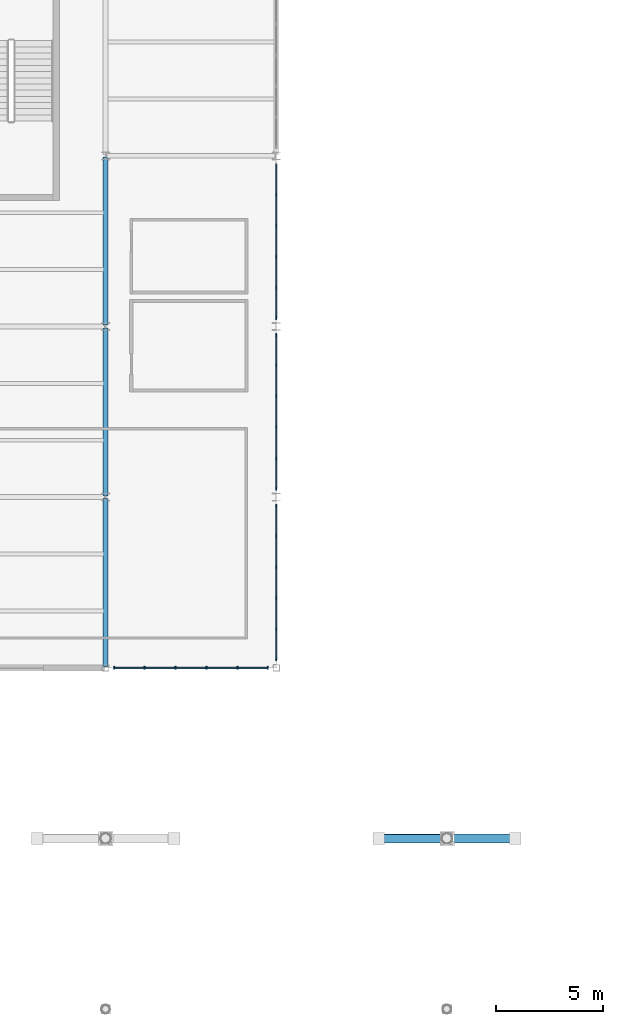
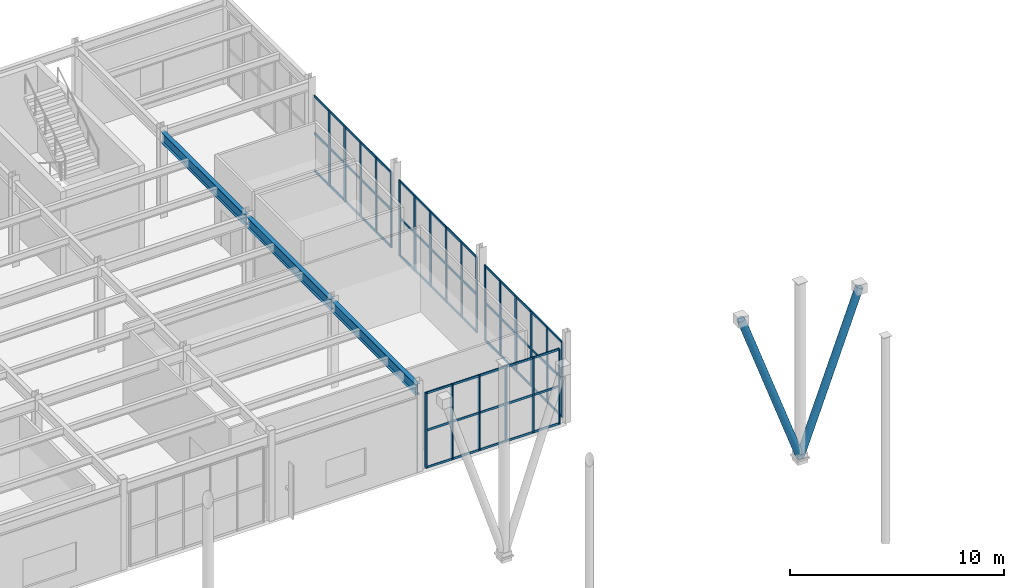
# One storey, part 43 of 77: 37 members, 3 beams, 4 elements without a shape of their own.
"""IFC4 building model written with IfcOpenShell, lengths in metres."""

from ifc_helpers import new_model, si_unit, direction, frame, origin, origin_2d, place, context, subcontext, project, spatial, rectangle, hollow_circle, i_section, extrude, material, material_profile, profile_set, type_object, element, aggregate, save


model = new_model("IFC4")

# Units and contexts
model_context = context("Model", 3, precision=1e-05, world=origin(), true_north=direction((0.0, 1.0)))
body_context = subcontext(model_context, "Body", "Model", "MODEL_VIEW")
ifc_project = project(units=[si_unit("LENGTHUNIT", "METRE"), si_unit("AREAUNIT", "SQUARE_METRE"), si_unit("VOLUMEUNIT", "CUBIC_METRE"), si_unit("PLANEANGLEUNIT", "RADIAN"), si_unit("MASSUNIT", "GRAM", prefix="KILO")], contexts=[model_context])

# Site, building, storey
site_placement = place(None, origin())
site = spatial("IfcSite", under=ifc_project, at=site_placement, CompositionType="ELEMENT")
building_placement = place(site_placement, origin())
building = spatial("IfcBuilding", under=site, at=building_placement, Name="Drelvath Fold Interchange", CompositionType="ELEMENT")
storey_placement = place(building_placement, frame((0.0, 0.0, 6.0)))
storey = spatial("IfcBuildingStorey", under=building, at=storey_placement, Name="L01", CompositionType="ELEMENT", Elevation=6.0)

# Beams
ifc_material_1 = material(Name="Steel ASTM A992 Grade 50", Category="steel")
ifc_material_profile_1 = material_profile(ifc_material_1, i_section(OverallWidth=0.22998046875, OverallDepth=0.616943359375, WebThickness=0.01318359375, FlangeThickness=0.022216796875, at=origin_2d()), Name="W24X94")
ifc_profile_set_1 = profile_set([ifc_material_profile_1], Name="Steel ASTM A992 Grade 50")
beam_type = type_object("IfcBeamType", Name="BM-W24X94", PredefinedType="BEAM", material=ifc_profile_set_1)
for number, where, z_axis, x_axis, name in (
    (1, (134.0, 75.06005859375, 4.58203125), (0.0, 1.0, 0.0), (-1.0, 0.0, 0.0), "L01 Primary Y girder BM-W24X94"),
    (2, (134.0, 83.06005859375, 4.58203125), (0.0, 1.0, 0.0), (-1.0, 0.0, 0.0), "L01 Primary Y girder BM-W24X94"),
    (3, (134.0, 91.06005859375, 4.58203125), (0.0, 1.0, 0.0), (-1.0, 0.0, 0.0), "L01 Primary Y girder BM-W24X94"),
):
    element("IfcBeam", number, at=place(storey_placement, frame(where, z_axis=z_axis, x_axis=x_axis)), inside=storey, type_object=beam_type, Name=name, PredefinedType="BEAM", context=body_context, shape_type="SweptSolid", body=[
        extrude(i_section(OverallWidth=0.22998046875, OverallDepth=0.616943359375, WebThickness=0.01318359375, FlangeThickness=0.022216796875, at=origin_2d()), origin(), (0.0, 0.0, 1.0), 7.8798828125),
    ])

# Curtain wall, members
ifc_material_2 = material(Name="Anodized Aluminium 6063-T6", Category="aluminium")
curtain_wall_type = type_object("IfcCurtainWallType", Name="CW-CYC-430", PredefinedType="USERDEFINED", material=ifc_material_2)
curtain_wall_1_placement = place(storey_placement, origin())
curtain_wall_1 = element("IfcCurtainWall", 4, at=curtain_wall_1_placement, inside=storey, type_object=curtain_wall_type, Name="Curtain wall CW-CYC-L01-S134", ObjectType="UNITISED CURTAIN WALL", PredefinedType="USERDEFINED")
ifc_material_profile_2 = material_profile(ifc_material_2, rectangle(XDim=0.06005859375, YDim=0.14990234375, at=origin_2d()), Name="AL-M 60x150")
ifc_profile_set_2 = profile_set([ifc_material_profile_2], Name="Anodized Aluminium 6063-T6")
member_type_1 = type_object("IfcMemberType", Name="ML-150", PredefinedType="MULLION", material=ifc_profile_set_2)
member_1_placement = place(storey_placement, frame((134.39990234375, 75.0, 0.0), z_axis=(0.0, 0.0, 1.0), x_axis=(1.0, 0.0, 0.0)))
member_1 = element("IfcMember", 5, at=member_1_placement, type_object=member_type_1, Name="CW-CYC-L01-S134 mullion 0", PredefinedType="MULLION", context=body_context, shape_type="SweptSolid", body=[
    extrude(rectangle(XDim=0.06005859375, YDim=0.14990234375, at=origin_2d()), origin(), (0.0, 0.0, 1.0), 4.300048828125),
])
member_2_placement = place(storey_placement, frame((135.81591796875, 75.0, 0.0), z_axis=(0.0, 0.0, 1.0), x_axis=(1.0, 0.0, 0.0)))
member_2 = element("IfcMember", 6, at=member_2_placement, type_object=member_type_1, Name="CW-CYC-L01-S134 mullion 1", PredefinedType="MULLION", context=body_context, shape_type="SweptSolid", body=[
    extrude(rectangle(XDim=0.06005859375, YDim=0.14990234375, at=origin_2d()), origin(), (0.0, 0.0, 1.0), 4.300048828125),
])
member_3_placement = place(storey_placement, frame((137.27197265625, 75.0, 0.0), z_axis=(0.0, 0.0, 1.0), x_axis=(1.0, 0.0, 0.0)))
member_3 = element("IfcMember", 7, at=member_3_placement, type_object=member_type_1, Name="CW-CYC-L01-S134 mullion 2", PredefinedType="MULLION", context=body_context, shape_type="SweptSolid", body=[
    extrude(rectangle(XDim=0.06005859375, YDim=0.14990234375, at=origin_2d()), origin(), (0.0, 0.0, 1.0), 4.300048828125),
])
member_4_placement = place(storey_placement, frame((138.72802734375, 75.0, 0.0), z_axis=(0.0, 0.0, 1.0), x_axis=(1.0, 0.0, 0.0)))
member_4 = element("IfcMember", 8, at=member_4_placement, type_object=member_type_1, Name="CW-CYC-L01-S134 mullion 3", PredefinedType="MULLION", context=body_context, shape_type="SweptSolid", body=[
    extrude(rectangle(XDim=0.06005859375, YDim=0.14990234375, at=origin_2d()), origin(), (0.0, 0.0, 1.0), 4.300048828125),
])
member_5_placement = place(storey_placement, frame((140.18408203125, 75.0, 0.0), z_axis=(0.0, 0.0, 1.0), x_axis=(1.0, 0.0, 0.0)))
member_5 = element("IfcMember", 9, at=member_5_placement, type_object=member_type_1, Name="CW-CYC-L01-S134 mullion 4", PredefinedType="MULLION", context=body_context, shape_type="SweptSolid", body=[
    extrude(rectangle(XDim=0.06005859375, YDim=0.14990234375, at=origin_2d()), origin(), (0.0, 0.0, 1.0), 4.300048828125),
])
member_6_placement = place(storey_placement, frame((141.60009765625, 75.0, 0.0), z_axis=(0.0, 0.0, 1.0), x_axis=(1.0, 0.0, 0.0)))
member_6 = element("IfcMember", 10, at=member_6_placement, type_object=member_type_1, Name="CW-CYC-L01-S134 mullion 5", PredefinedType="MULLION", context=body_context, shape_type="SweptSolid", body=[
    extrude(rectangle(XDim=0.06005859375, YDim=0.14990234375, at=origin_2d()), origin(), (0.0, 0.0, 1.0), 4.300048828125),
])

curtain_wall_2_placement = place(storey_placement, origin())
curtain_wall_2 = element("IfcCurtainWall", 11, at=curtain_wall_2_placement, inside=storey, type_object=curtain_wall_type, Name="Curtain wall CW-CYC-L01-E75", ObjectType="UNITISED CURTAIN WALL", PredefinedType="USERDEFINED")
member_7_placement = place(storey_placement, frame((142.0, 75.39990234375, 0.0), z_axis=(0.0, 0.0, 1.0), x_axis=(1.0, 0.0, 0.0)))
member_7 = element("IfcMember", 12, at=member_7_placement, type_object=member_type_1, Name="CW-CYC-L01-E75 mullion 0", PredefinedType="MULLION", context=body_context, shape_type="SweptSolid", body=[
    extrude(rectangle(XDim=0.06005859375, YDim=0.14990234375, at=origin_2d()), origin(), (0.0, 0.0, 1.0), 4.300048828125),
])
member_8_placement = place(storey_placement, frame((142.0, 76.81591796875, 0.0), z_axis=(0.0, 0.0, 1.0), x_axis=(1.0, 0.0, 0.0)))
member_8 = element("IfcMember", 13, at=member_8_placement, type_object=member_type_1, Name="CW-CYC-L01-E75 mullion 1", PredefinedType="MULLION", context=body_context, shape_type="SweptSolid", body=[
    extrude(rectangle(XDim=0.06005859375, YDim=0.14990234375, at=origin_2d()), origin(), (0.0, 0.0, 1.0), 4.300048828125),
])
member_9_placement = place(storey_placement, frame((142.0, 78.27197265625, 0.0), z_axis=(0.0, 0.0, 1.0), x_axis=(1.0, 0.0, 0.0)))
member_9 = element("IfcMember", 14, at=member_9_placement, type_object=member_type_1, Name="CW-CYC-L01-E75 mullion 2", PredefinedType="MULLION", context=body_context, shape_type="SweptSolid", body=[
    extrude(rectangle(XDim=0.06005859375, YDim=0.14990234375, at=origin_2d()), origin(), (0.0, 0.0, 1.0), 4.300048828125),
])
member_10_placement = place(storey_placement, frame((142.0, 79.72802734375, 0.0), z_axis=(0.0, 0.0, 1.0), x_axis=(1.0, 0.0, 0.0)))
member_10 = element("IfcMember", 15, at=member_10_placement, type_object=member_type_1, Name="CW-CYC-L01-E75 mullion 3", PredefinedType="MULLION", context=body_context, shape_type="SweptSolid", body=[
    extrude(rectangle(XDim=0.06005859375, YDim=0.14990234375, at=origin_2d()), origin(), (0.0, 0.0, 1.0), 4.300048828125),
])
member_11_placement = place(storey_placement, frame((142.0, 81.18408203125, 0.0), z_axis=(0.0, 0.0, 1.0), x_axis=(1.0, 0.0, 0.0)))
member_11 = element("IfcMember", 16, at=member_11_placement, type_object=member_type_1, Name="CW-CYC-L01-E75 mullion 4", PredefinedType="MULLION", context=body_context, shape_type="SweptSolid", body=[
    extrude(rectangle(XDim=0.06005859375, YDim=0.14990234375, at=origin_2d()), origin(), (0.0, 0.0, 1.0), 4.300048828125),
])
member_12_placement = place(storey_placement, frame((142.0, 82.60009765625, 0.0), z_axis=(0.0, 0.0, 1.0), x_axis=(1.0, 0.0, 0.0)))
member_12 = element("IfcMember", 17, at=member_12_placement, type_object=member_type_1, Name="CW-CYC-L01-E75 mullion 5", PredefinedType="MULLION", context=body_context, shape_type="SweptSolid", body=[
    extrude(rectangle(XDim=0.06005859375, YDim=0.14990234375, at=origin_2d()), origin(), (0.0, 0.0, 1.0), 4.300048828125),
])

curtain_wall_3_placement = place(storey_placement, origin())
curtain_wall_3 = element("IfcCurtainWall", 18, at=curtain_wall_3_placement, inside=storey, type_object=curtain_wall_type, Name="Curtain wall CW-CYC-L01-E83", ObjectType="UNITISED CURTAIN WALL", PredefinedType="USERDEFINED")
member_13_placement = place(storey_placement, frame((142.0, 83.39990234375, 0.0), z_axis=(0.0, 0.0, 1.0), x_axis=(1.0, 0.0, 0.0)))
member_13 = element("IfcMember", 19, at=member_13_placement, type_object=member_type_1, Name="CW-CYC-L01-E83 mullion 0", PredefinedType="MULLION", context=body_context, shape_type="SweptSolid", body=[
    extrude(rectangle(XDim=0.06005859375, YDim=0.14990234375, at=origin_2d()), origin(), (0.0, 0.0, 1.0), 4.300048828125),
])
member_14_placement = place(storey_placement, frame((142.0, 84.81591796875, 0.0), z_axis=(0.0, 0.0, 1.0), x_axis=(1.0, 0.0, 0.0)))
member_14 = element("IfcMember", 20, at=member_14_placement, type_object=member_type_1, Name="CW-CYC-L01-E83 mullion 1", PredefinedType="MULLION", context=body_context, shape_type="SweptSolid", body=[
    extrude(rectangle(XDim=0.06005859375, YDim=0.14990234375, at=origin_2d()), origin(), (0.0, 0.0, 1.0), 4.300048828125),
])
member_15_placement = place(storey_placement, frame((142.0, 86.27197265625, 0.0), z_axis=(0.0, 0.0, 1.0), x_axis=(1.0, 0.0, 0.0)))
member_15 = element("IfcMember", 21, at=member_15_placement, type_object=member_type_1, Name="CW-CYC-L01-E83 mullion 2", PredefinedType="MULLION", context=body_context, shape_type="SweptSolid", body=[
    extrude(rectangle(XDim=0.06005859375, YDim=0.14990234375, at=origin_2d()), origin(), (0.0, 0.0, 1.0), 4.300048828125),
])
member_16_placement = place(storey_placement, frame((142.0, 87.72802734375, 0.0), z_axis=(0.0, 0.0, 1.0), x_axis=(1.0, 0.0, 0.0)))
member_16 = element("IfcMember", 22, at=member_16_placement, type_object=member_type_1, Name="CW-CYC-L01-E83 mullion 3", PredefinedType="MULLION", context=body_context, shape_type="SweptSolid", body=[
    extrude(rectangle(XDim=0.06005859375, YDim=0.14990234375, at=origin_2d()), origin(), (0.0, 0.0, 1.0), 4.300048828125),
])
member_17_placement = place(storey_placement, frame((142.0, 89.18408203125, 0.0), z_axis=(0.0, 0.0, 1.0), x_axis=(1.0, 0.0, 0.0)))
member_17 = element("IfcMember", 23, at=member_17_placement, type_object=member_type_1, Name="CW-CYC-L01-E83 mullion 4", PredefinedType="MULLION", context=body_context, shape_type="SweptSolid", body=[
    extrude(rectangle(XDim=0.06005859375, YDim=0.14990234375, at=origin_2d()), origin(), (0.0, 0.0, 1.0), 4.300048828125),
])
member_18_placement = place(storey_placement, frame((142.0, 90.60009765625, 0.0), z_axis=(0.0, 0.0, 1.0), x_axis=(1.0, 0.0, 0.0)))
member_18 = element("IfcMember", 24, at=member_18_placement, type_object=member_type_1, Name="CW-CYC-L01-E83 mullion 5", PredefinedType="MULLION", context=body_context, shape_type="SweptSolid", body=[
    extrude(rectangle(XDim=0.06005859375, YDim=0.14990234375, at=origin_2d()), origin(), (0.0, 0.0, 1.0), 4.300048828125),
])

curtain_wall_4_placement = place(storey_placement, origin())
curtain_wall_4 = element("IfcCurtainWall", 25, at=curtain_wall_4_placement, inside=storey, type_object=curtain_wall_type, Name="Curtain wall CW-CYC-L01-E91", ObjectType="UNITISED CURTAIN WALL", PredefinedType="USERDEFINED")
member_19_placement = place(storey_placement, frame((142.0, 91.39990234375, 0.0), z_axis=(0.0, 0.0, 1.0), x_axis=(1.0, 0.0, 0.0)))
member_19 = element("IfcMember", 26, at=member_19_placement, type_object=member_type_1, Name="CW-CYC-L01-E91 mullion 0", PredefinedType="MULLION", context=body_context, shape_type="SweptSolid", body=[
    extrude(rectangle(XDim=0.06005859375, YDim=0.14990234375, at=origin_2d()), origin(), (0.0, 0.0, 1.0), 4.300048828125),
])
member_20_placement = place(storey_placement, frame((142.0, 92.81591796875, 0.0), z_axis=(0.0, 0.0, 1.0), x_axis=(1.0, 0.0, 0.0)))
member_20 = element("IfcMember", 27, at=member_20_placement, type_object=member_type_1, Name="CW-CYC-L01-E91 mullion 1", PredefinedType="MULLION", context=body_context, shape_type="SweptSolid", body=[
    extrude(rectangle(XDim=0.06005859375, YDim=0.14990234375, at=origin_2d()), origin(), (0.0, 0.0, 1.0), 4.300048828125),
])
member_21_placement = place(storey_placement, frame((142.0, 94.27197265625, 0.0), z_axis=(0.0, 0.0, 1.0), x_axis=(1.0, 0.0, 0.0)))
member_21 = element("IfcMember", 28, at=member_21_placement, type_object=member_type_1, Name="CW-CYC-L01-E91 mullion 2", PredefinedType="MULLION", context=body_context, shape_type="SweptSolid", body=[
    extrude(rectangle(XDim=0.06005859375, YDim=0.14990234375, at=origin_2d()), origin(), (0.0, 0.0, 1.0), 4.300048828125),
])
member_22_placement = place(storey_placement, frame((142.0, 95.72802734375, 0.0), z_axis=(0.0, 0.0, 1.0), x_axis=(1.0, 0.0, 0.0)))
member_22 = element("IfcMember", 29, at=member_22_placement, type_object=member_type_1, Name="CW-CYC-L01-E91 mullion 3", PredefinedType="MULLION", context=body_context, shape_type="SweptSolid", body=[
    extrude(rectangle(XDim=0.06005859375, YDim=0.14990234375, at=origin_2d()), origin(), (0.0, 0.0, 1.0), 4.300048828125),
])
member_23_placement = place(storey_placement, frame((142.0, 97.18408203125, 0.0), z_axis=(0.0, 0.0, 1.0), x_axis=(1.0, 0.0, 0.0)))
member_23 = element("IfcMember", 30, at=member_23_placement, type_object=member_type_1, Name="CW-CYC-L01-E91 mullion 4", PredefinedType="MULLION", context=body_context, shape_type="SweptSolid", body=[
    extrude(rectangle(XDim=0.06005859375, YDim=0.14990234375, at=origin_2d()), origin(), (0.0, 0.0, 1.0), 4.300048828125),
])

# Members
ifc_material_3 = material(Name="Steel ASTM A500 Grade C", Category="steel")
ifc_material_profile_3 = material_profile(ifc_material_3, hollow_circle(Radius=0.202880859375, WallThickness=0.014892578125, at=origin_2d()), Name="HSS16.000X0.625")
ifc_profile_set_3 = profile_set([ifc_material_profile_3], Name="Steel ASTM A500 Grade C")
member_type_2 = type_object("IfcMemberType", Name="ST-VST406", PredefinedType="STRUT", material=ifc_profile_set_3)
member_24_placement = place(storey_placement, frame((150.0, 67.0, 0.050048828125), z_axis=(-0.33650390903, 0.0, 0.94168206907), x_axis=(0.0, -1.0, 0.0)))
element("IfcMember", 31, at=member_24_placement, inside=storey, type_object=member_type_2, Name="L01 Canopy inclined V-strut ST-VST406", PredefinedType="STRUT", context=body_context, shape_type="SweptSolid", body=[
    extrude(hollow_circle(Radius=0.202880859375, WallThickness=0.014892578125, at=origin_2d()), origin(), (0.0, 0.0, 1.0), 9.509521484375),
])
member_25_placement = place(storey_placement, frame((150.0, 67.0, 0.050048828125), z_axis=(0.349798200758, 0.0, 0.936825073718), x_axis=(0.0, 1.0, 0.0)))
element("IfcMember", 32, at=member_25_placement, inside=storey, type_object=member_type_2, Name="L01 Canopy inclined V-strut ST-VST406", PredefinedType="STRUT", context=body_context, shape_type="SweptSolid", body=[
    extrude(hollow_circle(Radius=0.202880859375, WallThickness=0.014892578125, at=origin_2d()), origin(), (0.0, 0.0, 1.0), 9.14794921875),
])

# Member
ifc_material_profile_4 = material_profile(ifc_material_2, rectangle(XDim=0.06005859375, YDim=0.1201171875, at=origin_2d()), Name="AL-T 60x120")
ifc_profile_set_4 = profile_set([ifc_material_profile_4], Name="Anodized Aluminium 6063-T6")
member_type_3 = type_object("IfcMemberType", Name="TR-120", PredefinedType="USERDEFINED", material=ifc_profile_set_4)
member_26_placement = place(storey_placement, frame((134.39990234375, 75.0, 0.030029296875), z_axis=(1.0, 0.0, 0.0), x_axis=(0.0, 1.0, 0.0)))
member_26 = element("IfcMember", 33, at=member_26_placement, type_object=member_type_3, Name="CW-CYC-L01-S134 transom 0", ObjectType="TRANSOM", PredefinedType="USERDEFINED", context=body_context, shape_type="SweptSolid", body=[
    extrude(rectangle(XDim=0.06005859375, YDim=0.1201171875, at=origin_2d()), origin(), (0.0, 0.0, 1.0), 7.2001953125),
])

member_27_placement = place(storey_placement, frame((134.39990234375, 75.0, 2.14990234375), z_axis=(1.0, 0.0, 0.0), x_axis=(0.0, 1.0, 0.0)))
member_27 = element("IfcMember", 34, at=member_27_placement, type_object=member_type_3, Name="CW-CYC-L01-S134 transom 1", ObjectType="TRANSOM", PredefinedType="USERDEFINED", context=body_context, shape_type="SweptSolid", body=[
    extrude(rectangle(XDim=0.06005859375, YDim=0.1201171875, at=origin_2d()), origin(), (0.0, 0.0, 1.0), 7.2001953125),
])

member_28_placement = place(storey_placement, frame((134.39990234375, 75.0, 4.27001953125), z_axis=(1.0, 0.0, 0.0), x_axis=(0.0, 1.0, 0.0)))
member_28 = element("IfcMember", 35, at=member_28_placement, type_object=member_type_3, Name="CW-CYC-L01-S134 transom 2", ObjectType="TRANSOM", PredefinedType="USERDEFINED", context=body_context, shape_type="SweptSolid", body=[
    extrude(rectangle(XDim=0.06005859375, YDim=0.1201171875, at=origin_2d()), origin(), (0.0, 0.0, 1.0), 7.2001953125),
])

aggregate(curtain_wall_1, [member_1, member_2, member_3, member_4, member_5, member_6, member_26, member_27, member_28])

member_29_placement = place(storey_placement, frame((142.0, 75.39990234375, 0.030029296875), z_axis=(0.0, 1.0, 0.0), x_axis=(-1.0, 0.0, 0.0)))
member_29 = element("IfcMember", 36, at=member_29_placement, type_object=member_type_3, Name="CW-CYC-L01-E75 transom 0", ObjectType="TRANSOM", PredefinedType="USERDEFINED", context=body_context, shape_type="SweptSolid", body=[
    extrude(rectangle(XDim=0.06005859375, YDim=0.1201171875, at=origin_2d()), origin(), (0.0, 0.0, 1.0), 7.2001953125),
])

member_30_placement = place(storey_placement, frame((142.0, 75.39990234375, 2.14990234375), z_axis=(0.0, 1.0, 0.0), x_axis=(-1.0, 0.0, 0.0)))
member_30 = element("IfcMember", 37, at=member_30_placement, type_object=member_type_3, Name="CW-CYC-L01-E75 transom 1", ObjectType="TRANSOM", PredefinedType="USERDEFINED", context=body_context, shape_type="SweptSolid", body=[
    extrude(rectangle(XDim=0.06005859375, YDim=0.1201171875, at=origin_2d()), origin(), (0.0, 0.0, 1.0), 7.2001953125),
])

member_31_placement = place(storey_placement, frame((142.0, 75.39990234375, 4.27001953125), z_axis=(0.0, 1.0, 0.0), x_axis=(-1.0, 0.0, 0.0)))
member_31 = element("IfcMember", 38, at=member_31_placement, type_object=member_type_3, Name="CW-CYC-L01-E75 transom 2", ObjectType="TRANSOM", PredefinedType="USERDEFINED", context=body_context, shape_type="SweptSolid", body=[
    extrude(rectangle(XDim=0.06005859375, YDim=0.1201171875, at=origin_2d()), origin(), (0.0, 0.0, 1.0), 7.2001953125),
])

aggregate(curtain_wall_2, [member_7, member_8, member_9, member_10, member_11, member_12, member_29, member_30, member_31])

member_32_placement = place(storey_placement, frame((142.0, 83.39990234375, 0.030029296875), z_axis=(0.0, 1.0, 0.0), x_axis=(-1.0, 0.0, 0.0)))
member_32 = element("IfcMember", 39, at=member_32_placement, type_object=member_type_3, Name="CW-CYC-L01-E83 transom 0", ObjectType="TRANSOM", PredefinedType="USERDEFINED", context=body_context, shape_type="SweptSolid", body=[
    extrude(rectangle(XDim=0.06005859375, YDim=0.1201171875, at=origin_2d()), origin(), (0.0, 0.0, 1.0), 7.2001953125),
])

member_33_placement = place(storey_placement, frame((142.0, 83.39990234375, 2.14990234375), z_axis=(0.0, 1.0, 0.0), x_axis=(-1.0, 0.0, 0.0)))
member_33 = element("IfcMember", 40, at=member_33_placement, type_object=member_type_3, Name="CW-CYC-L01-E83 transom 1", ObjectType="TRANSOM", PredefinedType="USERDEFINED", context=body_context, shape_type="SweptSolid", body=[
    extrude(rectangle(XDim=0.06005859375, YDim=0.1201171875, at=origin_2d()), origin(), (0.0, 0.0, 1.0), 7.2001953125),
])

member_34_placement = place(storey_placement, frame((142.0, 83.39990234375, 4.27001953125), z_axis=(0.0, 1.0, 0.0), x_axis=(-1.0, 0.0, 0.0)))
member_34 = element("IfcMember", 41, at=member_34_placement, type_object=member_type_3, Name="CW-CYC-L01-E83 transom 2", ObjectType="TRANSOM", PredefinedType="USERDEFINED", context=body_context, shape_type="SweptSolid", body=[
    extrude(rectangle(XDim=0.06005859375, YDim=0.1201171875, at=origin_2d()), origin(), (0.0, 0.0, 1.0), 7.2001953125),
])

aggregate(curtain_wall_3, [member_13, member_14, member_15, member_16, member_17, member_18, member_32, member_33, member_34])

member_35_placement = place(storey_placement, frame((142.0, 91.39990234375, 0.030029296875), z_axis=(0.0, 1.0, 0.0), x_axis=(-1.0, 0.0, 0.0)))
member_35 = element("IfcMember", 42, at=member_35_placement, type_object=member_type_3, Name="CW-CYC-L01-E91 transom 0", ObjectType="TRANSOM", PredefinedType="USERDEFINED", context=body_context, shape_type="SweptSolid", body=[
    extrude(rectangle(XDim=0.06005859375, YDim=0.1201171875, at=origin_2d()), origin(), (0.0, 0.0, 1.0), 7.2001953125),
])

member_36_placement = place(storey_placement, frame((142.0, 91.39990234375, 2.14990234375), z_axis=(0.0, 1.0, 0.0), x_axis=(-1.0, 0.0, 0.0)))
member_36 = element("IfcMember", 43, at=member_36_placement, type_object=member_type_3, Name="CW-CYC-L01-E91 transom 1", ObjectType="TRANSOM", PredefinedType="USERDEFINED", context=body_context, shape_type="SweptSolid", body=[
    extrude(rectangle(XDim=0.06005859375, YDim=0.1201171875, at=origin_2d()), origin(), (0.0, 0.0, 1.0), 7.2001953125),
])

member_37_placement = place(storey_placement, frame((142.0, 91.39990234375, 4.27001953125), z_axis=(0.0, 1.0, 0.0), x_axis=(-1.0, 0.0, 0.0)))
member_37 = element("IfcMember", 44, at=member_37_placement, type_object=member_type_3, Name="CW-CYC-L01-E91 transom 2", ObjectType="TRANSOM", PredefinedType="USERDEFINED", context=body_context, shape_type="SweptSolid", body=[
    extrude(rectangle(XDim=0.06005859375, YDim=0.1201171875, at=origin_2d()), origin(), (0.0, 0.0, 1.0), 7.2001953125),
])

aggregate(curtain_wall_4, [member_19, member_20, member_21, member_22, member_23, member_35, member_36, member_37])

save(model, "model.ifc")
